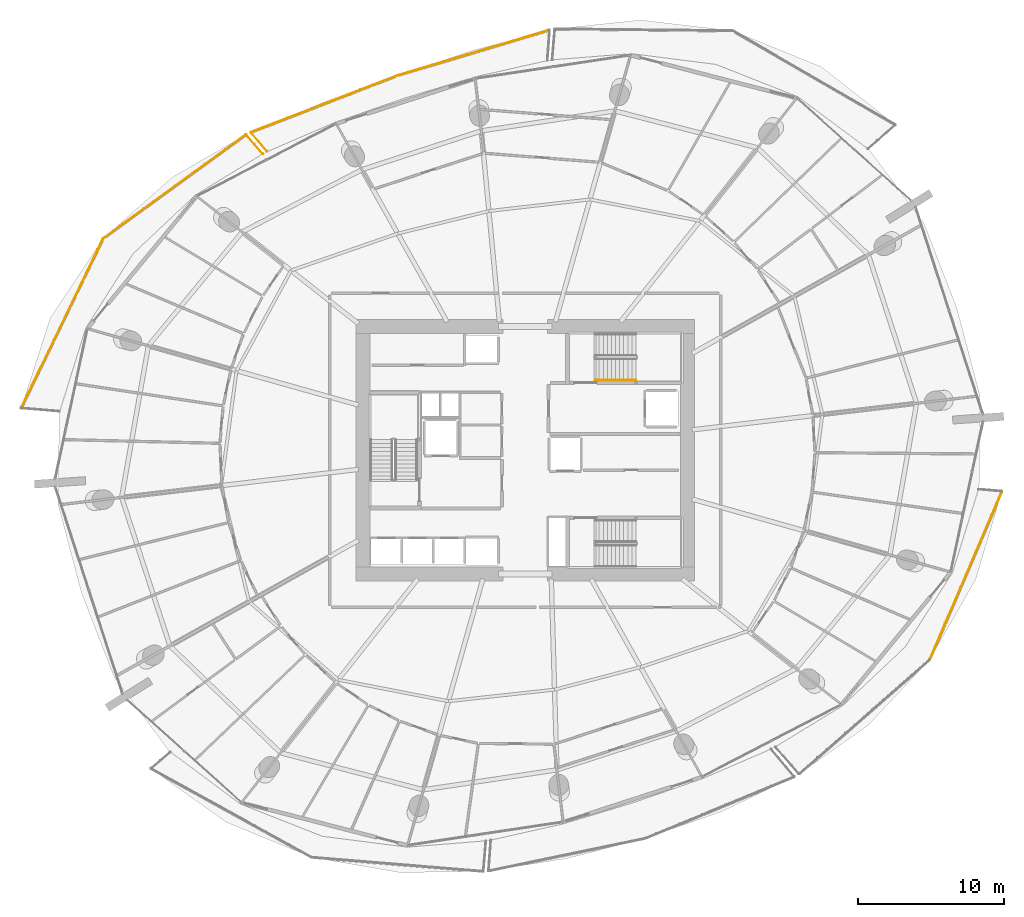
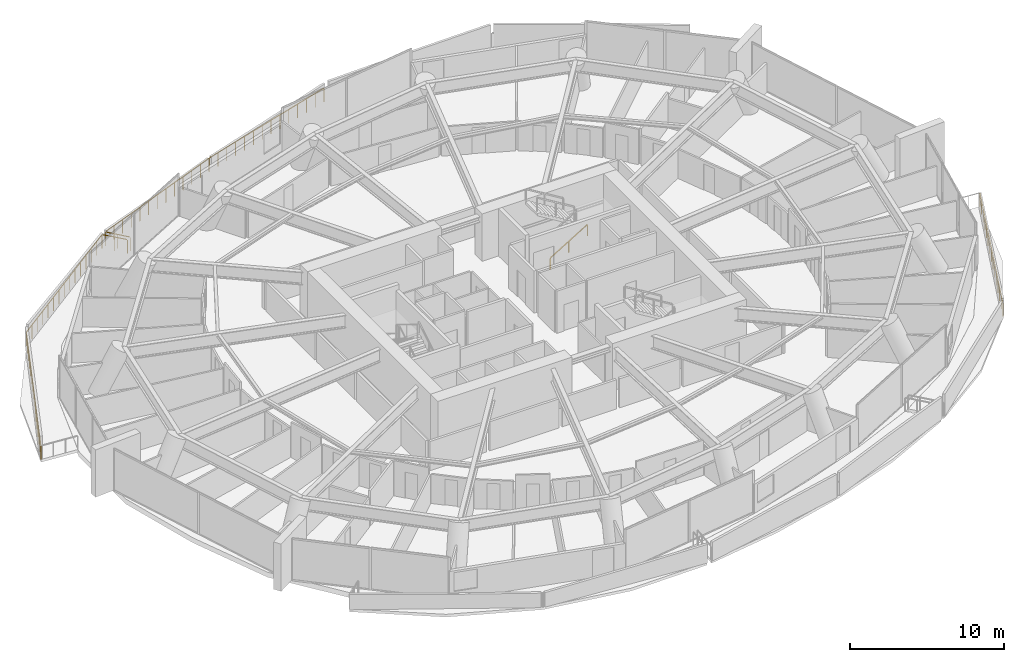
# One storey, part 29 of 31: 8 railings.
"""IFC4 building model written with IfcOpenShell, lengths in metres."""

from ifc_helpers import new_model, si_unit, direction, frame, origin, origin_2d, place, context, subcontext, project, spatial, rectangle, extrude, material, type_object, element, save


model = new_model("IFC4")

# Units and contexts
model_context = context("Model", 3, precision=1e-05, world=origin(), true_north=direction((0.0, 1.0)))
body_context = subcontext(model_context, "Body", "Model", "MODEL_VIEW")
ifc_project = project(units=[si_unit("LENGTHUNIT", "METRE"), si_unit("AREAUNIT", "SQUARE_METRE"), si_unit("VOLUMEUNIT", "CUBIC_METRE"), si_unit("PLANEANGLEUNIT", "RADIAN"), si_unit("MASSUNIT", "GRAM", prefix="KILO")], contexts=[model_context])

# Site, building, storey
site_placement = place(None, origin())
site = spatial("IfcSite", under=ifc_project, at=site_placement, CompositionType="ELEMENT")
building_placement = place(site_placement, origin())
building = spatial("IfcBuilding", under=site, at=building_placement, Name="Kazma Halo Residences", CompositionType="ELEMENT")
storey_placement = place(building_placement, frame((0.0, 0.0, 71.39990234375)))
storey = spatial("IfcBuildingStorey", under=building, at=storey_placement, Name="L17", CompositionType="ELEMENT", Elevation=71.39990234375)

# Railings
ifc_material_1 = material(Name="Aluminium AW-6063 T6 Brushed Cap Rail", Category="aluminium")
railing_type_1 = type_object("IfcRailingType", Name="RLG-BAL-CAP-1120", PredefinedType="BALUSTRADE", material=ifc_material_1)
railing_1_placement = place(storey_placement, frame((50.08740234375, 70.7705078125, 0.0)))
element("IfcRailing", 1, at=railing_1_placement, inside=storey, type_object=railing_type_1, Name="L17 NNW wave balcony guard 2", PredefinedType="BALUSTRADE", context=body_context, shape_type="SweptSolid", body=[
    extrude(rectangle(XDim=0.050048828125, YDim=0.050048828125, at=origin_2d()), frame((-0.040771484375, -0.01220703125, 1.09521484375), z_axis=(-0.957967000028, -0.286878418249, 0.0), x_axis=(0.286878418249, -0.957967000028, 0.0)), (0.0, 0.0, 1.0), 10.79345703125),
    extrude(rectangle(XDim=0.0400390625, YDim=0.0400390625, at=origin_2d()), origin(), (0.0, 0.0, 1.0), 1.05810546875),
    extrude(rectangle(XDim=0.0400390625, YDim=0.0400390625, at=origin_2d()), frame((-0.8017578125, -0.239990234375, 0.0)), (0.0, 0.0, 1.0), 1.05810546875),
    extrude(rectangle(XDim=0.0400390625, YDim=0.0400390625, at=origin_2d()), frame((-1.603271484375, -0.480224609375, 0.0)), (0.0, 0.0, 1.0), 1.05810546875),
    extrude(rectangle(XDim=0.0400390625, YDim=0.0400390625, at=origin_2d()), frame((-2.405029296875, -0.72021484375, 0.0)), (0.0, 0.0, 1.0), 1.05810546875),
    extrude(rectangle(XDim=0.0400390625, YDim=0.0400390625, at=origin_2d()), frame((-3.20654296875, -0.960205078125, 0.0)), (0.0, 0.0, 1.0), 1.05810546875),
    extrude(rectangle(XDim=0.0400390625, YDim=0.0400390625, at=origin_2d()), frame((-4.00830078125, -1.200439453125, 0.0)), (0.0, 0.0, 1.0), 1.05810546875),
    extrude(rectangle(XDim=0.0400390625, YDim=0.0400390625, at=origin_2d()), frame((-4.809814453125, -1.4404296875, 0.0)), (0.0, 0.0, 1.0), 1.05810546875),
    extrude(rectangle(XDim=0.0400390625, YDim=0.0400390625, at=origin_2d()), frame((-5.611572265625, -1.680419921875, 0.0)), (0.0, 0.0, 1.0), 1.05810546875),
    extrude(rectangle(XDim=0.0400390625, YDim=0.0400390625, at=origin_2d()), frame((-6.4130859375, -1.92041015625, 0.0)), (0.0, 0.0, 1.0), 1.05810546875),
    extrude(rectangle(XDim=0.0400390625, YDim=0.0400390625, at=origin_2d()), frame((-7.21484375, -2.16064453125, 0.0)), (0.0, 0.0, 1.0), 1.05810546875),
    extrude(rectangle(XDim=0.0400390625, YDim=0.0400390625, at=origin_2d()), frame((-8.016357421875, -2.400634765625, 0.0)), (0.0, 0.0, 1.0), 1.05810546875),
    extrude(rectangle(XDim=0.0400390625, YDim=0.0400390625, at=origin_2d()), frame((-8.818115234375, -2.640625, 0.0)), (0.0, 0.0, 1.0), 1.05810546875),
    extrude(rectangle(XDim=0.0400390625, YDim=0.0400390625, at=origin_2d()), frame((-9.61962890625, -2.880859375, 0.0)), (0.0, 0.0, 1.0), 1.05810546875),
    extrude(rectangle(XDim=0.0400390625, YDim=0.0400390625, at=origin_2d()), frame((-10.42138671875, -3.120849609375, 0.0)), (0.0, 0.0, 1.0), 1.05810546875),
])
railing_2_placement = place(storey_placement, frame((39.666015625, 67.649658203125, 0.0)))
element("IfcRailing", 2, at=railing_2_placement, inside=storey, type_object=railing_type_1, Name="L17 NNW wave balcony guard 3", PredefinedType="BALUSTRADE", context=body_context, shape_type="SweptSolid", body=[
    extrude(rectangle(XDim=0.050048828125, YDim=0.050048828125, at=origin_2d()), frame((-0.039794921875, -0.015380859375, 1.09521484375), z_axis=(-0.932666427368, -0.360739982897, 0.0), x_axis=(0.360739982897, -0.932666427368, 0.0)), (0.0, 0.0, 1.0), 10.669677734375),
    extrude(rectangle(XDim=0.0400390625, YDim=0.0400390625, at=origin_2d()), origin(), (0.0, 0.0, 1.0), 1.05810546875),
    extrude(rectangle(XDim=0.0400390625, YDim=0.0400390625, at=origin_2d()), frame((-0.8359375, -0.3232421875, 0.0)), (0.0, 0.0, 1.0), 1.05810546875),
    extrude(rectangle(XDim=0.0400390625, YDim=0.0400390625, at=origin_2d()), frame((-1.671875, -0.646484375, 0.0)), (0.0, 0.0, 1.0), 1.05810546875),
    extrude(rectangle(XDim=0.0400390625, YDim=0.0400390625, at=origin_2d()), frame((-2.507568359375, -0.969970703125, 0.0)), (0.0, 0.0, 1.0), 1.05810546875),
    extrude(rectangle(XDim=0.0400390625, YDim=0.0400390625, at=origin_2d()), frame((-3.343505859375, -1.293212890625, 0.0)), (0.0, 0.0, 1.0), 1.05810546875),
    extrude(rectangle(XDim=0.0400390625, YDim=0.0400390625, at=origin_2d()), frame((-4.179443359375, -1.616455078125, 0.0)), (0.0, 0.0, 1.0), 1.05810546875),
    extrude(rectangle(XDim=0.0400390625, YDim=0.0400390625, at=origin_2d()), frame((-5.01513671875, -1.93994140625, 0.0)), (0.0, 0.0, 1.0), 1.05810546875),
    extrude(rectangle(XDim=0.0400390625, YDim=0.0400390625, at=origin_2d()), frame((-5.85107421875, -2.26318359375, 0.0)), (0.0, 0.0, 1.0), 1.05810546875),
    extrude(rectangle(XDim=0.0400390625, YDim=0.0400390625, at=origin_2d()), frame((-6.68701171875, -2.58642578125, 0.0)), (0.0, 0.0, 1.0), 1.05810546875),
    extrude(rectangle(XDim=0.0400390625, YDim=0.0400390625, at=origin_2d()), frame((-7.52294921875, -2.90966796875, 0.0)), (0.0, 0.0, 1.0), 1.05810546875),
    extrude(rectangle(XDim=0.0400390625, YDim=0.0400390625, at=origin_2d()), frame((-8.35888671875, -3.23291015625, 0.0)), (0.0, 0.0, 1.0), 1.05810546875),
    extrude(rectangle(XDim=0.0400390625, YDim=0.0400390625, at=origin_2d()), frame((-9.194580078125, -3.556396484375, 0.0)), (0.0, 0.0, 1.0), 1.05810546875),
    extrude(rectangle(XDim=0.0400390625, YDim=0.0400390625, at=origin_2d()), frame((-10.030517578125, -3.879638671875, 0.0)), (0.0, 0.0, 1.0), 1.05810546875),
])
railing_3_placement = place(storey_placement, frame((29.635498046875, 63.77001953125, 0.0)))
element("IfcRailing", 3, at=railing_3_placement, inside=storey, type_object=railing_type_1, Name="L17 NNW wave balcony guard 4", PredefinedType="BALUSTRADE", context=body_context, shape_type="SweptSolid", body=[
    extrude(rectangle(XDim=0.050048828125, YDim=0.050048828125, at=origin_2d()), frame((0.02734375, -0.032470703125, 1.09521484375), z_axis=(0.64477825688, -0.764369674604, 0.0), x_axis=(0.764369674604, 0.64477825688, 0.0)), (0.0, 0.0, 1.0), 1.64599609375),
    extrude(rectangle(XDim=0.0400390625, YDim=0.0400390625, at=origin_2d()), origin(), (0.0, 0.0, 1.0), 1.05810546875),
    extrude(rectangle(XDim=0.0400390625, YDim=0.0400390625, at=origin_2d()), frame((0.55810546875, -0.66162109375, 0.0)), (0.0, 0.0, 1.0), 1.05810546875),
    extrude(rectangle(XDim=0.0400390625, YDim=0.0400390625, at=origin_2d()), frame((1.1162109375, -1.3232421875, 0.0)), (0.0, 0.0, 1.0), 1.05810546875),
])
railing_4_placement = place(storey_placement, frame((30.453857421875, 62.29150390625, 0.0)))
element("IfcRailing", 4, at=railing_4_placement, inside=storey, type_object=railing_type_1, Name="L17 NW wave balcony guard 1", PredefinedType="BALUSTRADE", context=body_context, shape_type="SweptSolid", body=[
    extrude(rectangle(XDim=0.050048828125, YDim=0.050048828125, at=origin_2d()), frame((-0.02783203125, 0.0322265625, 1.09521484375), z_axis=(-0.654048383375, 0.756452716437, 0.0), x_axis=(-0.756452716437, -0.654048383375, 0.0)), (0.0, 0.0, 1.0), 1.664794921875),
    extrude(rectangle(XDim=0.0400390625, YDim=0.0400390625, at=origin_2d()), origin(), (0.0, 0.0, 1.0), 1.05810546875),
    extrude(rectangle(XDim=0.0400390625, YDim=0.0400390625, at=origin_2d()), frame((-0.572265625, 0.661865234375, 0.0)), (0.0, 0.0, 1.0), 1.05810546875),
    extrude(rectangle(XDim=0.0400390625, YDim=0.0400390625, at=origin_2d()), frame((-1.14453125, 1.32373046875, 0.0)), (0.0, 0.0, 1.0), 1.05810546875),
])
railing_5_placement = place(storey_placement, frame((29.309326171875, 63.615234375, 0.0)))
element("IfcRailing", 5, at=railing_5_placement, inside=storey, type_object=railing_type_1, Name="L17 NW wave balcony guard 2", PredefinedType="BALUSTRADE", context=body_context, shape_type="SweptSolid", body=[
    extrude(rectangle(XDim=0.050048828125, YDim=0.050048828125, at=origin_2d()), frame((-0.034423828125, -0.02490234375, 1.09521484375), z_axis=(-0.808699402837, -0.588222131385, 0.0), x_axis=(0.588222131385, -0.808699402837, 0.0)), (0.0, 0.0, 1.0), 12.003662109375),
    extrude(rectangle(XDim=0.0400390625, YDim=0.0400390625, at=origin_2d()), origin(), (0.0, 0.0, 1.0), 1.05810546875),
    extrude(rectangle(XDim=0.0400390625, YDim=0.0400390625, at=origin_2d()), frame((-0.6982421875, -0.5078125, 0.0)), (0.0, 0.0, 1.0), 1.05810546875),
    extrude(rectangle(XDim=0.0400390625, YDim=0.0400390625, at=origin_2d()), frame((-1.396484375, -1.015869140625, 0.0)), (0.0, 0.0, 1.0), 1.05810546875),
    extrude(rectangle(XDim=0.0400390625, YDim=0.0400390625, at=origin_2d()), frame((-2.094970703125, -1.523681640625, 0.0)), (0.0, 0.0, 1.0), 1.05810546875),
    extrude(rectangle(XDim=0.0400390625, YDim=0.0400390625, at=origin_2d()), frame((-2.793212890625, -2.03173828125, 0.0)), (0.0, 0.0, 1.0), 1.05810546875),
    extrude(rectangle(XDim=0.0400390625, YDim=0.0400390625, at=origin_2d()), frame((-3.491455078125, -2.53955078125, 0.0)), (0.0, 0.0, 1.0), 1.05810546875),
    extrude(rectangle(XDim=0.0400390625, YDim=0.0400390625, at=origin_2d()), frame((-4.189697265625, -3.047607421875, 0.0)), (0.0, 0.0, 1.0), 1.05810546875),
    extrude(rectangle(XDim=0.0400390625, YDim=0.0400390625, at=origin_2d()), frame((-4.88818359375, -3.555419921875, 0.0)), (0.0, 0.0, 1.0), 1.05810546875),
    extrude(rectangle(XDim=0.0400390625, YDim=0.0400390625, at=origin_2d()), frame((-5.58642578125, -4.063232421875, 0.0)), (0.0, 0.0, 1.0), 1.05810546875),
    extrude(rectangle(XDim=0.0400390625, YDim=0.0400390625, at=origin_2d()), frame((-6.28466796875, -4.5712890625, 0.0)), (0.0, 0.0, 1.0), 1.05810546875),
    extrude(rectangle(XDim=0.0400390625, YDim=0.0400390625, at=origin_2d()), frame((-6.98291015625, -5.0791015625, 0.0)), (0.0, 0.0, 1.0), 1.05810546875),
    extrude(rectangle(XDim=0.0400390625, YDim=0.0400390625, at=origin_2d()), frame((-7.68115234375, -5.587158203125, 0.0)), (0.0, 0.0, 1.0), 1.05810546875),
    extrude(rectangle(XDim=0.0400390625, YDim=0.0400390625, at=origin_2d()), frame((-8.379638671875, -6.094970703125, 0.0)), (0.0, 0.0, 1.0), 1.05810546875),
    extrude(rectangle(XDim=0.0400390625, YDim=0.0400390625, at=origin_2d()), frame((-9.077880859375, -6.60302734375, 0.0)), (0.0, 0.0, 1.0), 1.05810546875),
    extrude(rectangle(XDim=0.0400390625, YDim=0.0400390625, at=origin_2d()), frame((-9.776123046875, -7.11083984375, 0.0)), (0.0, 0.0, 1.0), 1.05810546875),
])
railing_6_placement = place(storey_placement, frame((19.533203125, 56.50439453125, 0.0)))
element("IfcRailing", 6, at=railing_6_placement, inside=storey, type_object=railing_type_1, Name="L17 NW wave balcony guard 3", PredefinedType="BALUSTRADE", context=body_context, shape_type="SweptSolid", body=[
    extrude(rectangle(XDim=0.050048828125, YDim=0.050048828125, at=origin_2d()), frame((-0.0185546875, -0.038330078125, 1.09521484375), z_axis=(-0.435394695787, -0.900239667467, 0.0), x_axis=(0.900239667467, -0.435394695787, 0.0)), (0.0, 0.0, 1.0), 12.81396484375),
    extrude(rectangle(XDim=0.0400390625, YDim=0.0400390625, at=origin_2d()), origin(), (0.0, 0.0, 1.0), 1.05810546875),
    extrude(rectangle(XDim=0.0400390625, YDim=0.0400390625, at=origin_2d()), frame((-0.37451171875, -0.774169921875, 0.0)), (0.0, 0.0, 1.0), 1.05810546875),
    extrude(rectangle(XDim=0.0400390625, YDim=0.0400390625, at=origin_2d()), frame((-0.748779296875, -1.54833984375, 0.0)), (0.0, 0.0, 1.0), 1.05810546875),
    extrude(rectangle(XDim=0.0400390625, YDim=0.0400390625, at=origin_2d()), frame((-1.123291015625, -2.322509765625, 0.0)), (0.0, 0.0, 1.0), 1.05810546875),
    extrude(rectangle(XDim=0.0400390625, YDim=0.0400390625, at=origin_2d()), frame((-1.49755859375, -3.0966796875, 0.0)), (0.0, 0.0, 1.0), 1.05810546875),
    extrude(rectangle(XDim=0.0400390625, YDim=0.0400390625, at=origin_2d()), frame((-1.8720703125, -3.870849609375, 0.0)), (0.0, 0.0, 1.0), 1.05810546875),
    extrude(rectangle(XDim=0.0400390625, YDim=0.0400390625, at=origin_2d()), frame((-2.24658203125, -4.64501953125, 0.0)), (0.0, 0.0, 1.0), 1.05810546875),
    extrude(rectangle(XDim=0.0400390625, YDim=0.0400390625, at=origin_2d()), frame((-2.620849609375, -5.419189453125, 0.0)), (0.0, 0.0, 1.0), 1.05810546875),
    extrude(rectangle(XDim=0.0400390625, YDim=0.0400390625, at=origin_2d()), frame((-2.995361328125, -6.193115234375, 0.0)), (0.0, 0.0, 1.0), 1.05810546875),
    extrude(rectangle(XDim=0.0400390625, YDim=0.0400390625, at=origin_2d()), frame((-3.36962890625, -6.96728515625, 0.0)), (0.0, 0.0, 1.0), 1.05810546875),
    extrude(rectangle(XDim=0.0400390625, YDim=0.0400390625, at=origin_2d()), frame((-3.744140625, -7.741455078125, 0.0)), (0.0, 0.0, 1.0), 1.05810546875),
    extrude(rectangle(XDim=0.0400390625, YDim=0.0400390625, at=origin_2d()), frame((-4.11865234375, -8.515625, 0.0)), (0.0, 0.0, 1.0), 1.05810546875),
    extrude(rectangle(XDim=0.0400390625, YDim=0.0400390625, at=origin_2d()), frame((-4.492919921875, -9.289794921875, 0.0)), (0.0, 0.0, 1.0), 1.05810546875),
    extrude(rectangle(XDim=0.0400390625, YDim=0.0400390625, at=origin_2d()), frame((-4.867431640625, -10.06396484375, 0.0)), (0.0, 0.0, 1.0), 1.05810546875),
    extrude(rectangle(XDim=0.0400390625, YDim=0.0400390625, at=origin_2d()), frame((-5.24169921875, -10.838134765625, 0.0)), (0.0, 0.0, 1.0), 1.05810546875),
    extrude(rectangle(XDim=0.0400390625, YDim=0.0400390625, at=origin_2d()), frame((-5.6162109375, -11.6123046875, 0.0)), (0.0, 0.0, 1.0), 1.05810546875),
])
railing_7_placement = place(storey_placement, frame((76.1123046875, 27.676025390625, 0.0)))
element("IfcRailing", 7, at=railing_7_placement, inside=storey, type_object=railing_type_1, Name="L17 SE wave balcony guard 3", PredefinedType="BALUSTRADE", context=body_context, shape_type="SweptSolid", body=[
    extrude(rectangle(XDim=0.050048828125, YDim=0.050048828125, at=origin_2d()), frame((0.016845703125, 0.0390625, 1.09521484375), z_axis=(0.393752359053, 0.919216557586, 0.0), x_axis=(-0.919216557586, 0.393752359053, 0.0)), (0.0, 0.0, 1.0), 12.447021484375),
    extrude(rectangle(XDim=0.0400390625, YDim=0.0400390625, at=origin_2d()), origin(), (0.0, 0.0, 1.0), 1.05810546875),
    extrude(rectangle(XDim=0.0400390625, YDim=0.0400390625, at=origin_2d()), frame((0.3525390625, 0.82275390625, 0.0)), (0.0, 0.0, 1.0), 1.05810546875),
    extrude(rectangle(XDim=0.0400390625, YDim=0.0400390625, at=origin_2d()), frame((0.704833984375, 1.645751953125, 0.0)), (0.0, 0.0, 1.0), 1.05810546875),
    extrude(rectangle(XDim=0.0400390625, YDim=0.0400390625, at=origin_2d()), frame((1.057373046875, 2.468505859375, 0.0)), (0.0, 0.0, 1.0), 1.05810546875),
    extrude(rectangle(XDim=0.0400390625, YDim=0.0400390625, at=origin_2d()), frame((1.409912109375, 3.291259765625, 0.0)), (0.0, 0.0, 1.0), 1.05810546875),
    extrude(rectangle(XDim=0.0400390625, YDim=0.0400390625, at=origin_2d()), frame((1.762451171875, 4.1142578125, 0.0)), (0.0, 0.0, 1.0), 1.05810546875),
    extrude(rectangle(XDim=0.0400390625, YDim=0.0400390625, at=origin_2d()), frame((2.11474609375, 4.93701171875, 0.0)), (0.0, 0.0, 1.0), 1.05810546875),
    extrude(rectangle(XDim=0.0400390625, YDim=0.0400390625, at=origin_2d()), frame((2.46728515625, 5.759765625, 0.0)), (0.0, 0.0, 1.0), 1.05810546875),
    extrude(rectangle(XDim=0.0400390625, YDim=0.0400390625, at=origin_2d()), frame((2.81982421875, 6.582763671875, 0.0)), (0.0, 0.0, 1.0), 1.05810546875),
    extrude(rectangle(XDim=0.0400390625, YDim=0.0400390625, at=origin_2d()), frame((3.172119140625, 7.405517578125, 0.0)), (0.0, 0.0, 1.0), 1.05810546875),
    extrude(rectangle(XDim=0.0400390625, YDim=0.0400390625, at=origin_2d()), frame((3.524658203125, 8.228515625, 0.0)), (0.0, 0.0, 1.0), 1.05810546875),
    extrude(rectangle(XDim=0.0400390625, YDim=0.0400390625, at=origin_2d()), frame((3.877197265625, 9.05126953125, 0.0)), (0.0, 0.0, 1.0), 1.05810546875),
    extrude(rectangle(XDim=0.0400390625, YDim=0.0400390625, at=origin_2d()), frame((4.229736328125, 9.8740234375, 0.0)), (0.0, 0.0, 1.0), 1.05810546875),
    extrude(rectangle(XDim=0.0400390625, YDim=0.0400390625, at=origin_2d()), frame((4.58203125, 10.697021484375, 0.0)), (0.0, 0.0, 1.0), 1.05810546875),
    extrude(rectangle(XDim=0.0400390625, YDim=0.0400390625, at=origin_2d()), frame((4.9345703125, 11.519775390625, 0.0)), (0.0, 0.0, 1.0), 1.05810546875),
])
ifc_material_2 = material(Name="Brushed Stainless Steel", Category="steel")
railing_type_2 = type_object("IfcRailingType", Name="RLG-STAIR-HND-900", PredefinedType="HANDRAIL", material=ifc_material_2)
railing_8_placement = place(storey_placement, frame((53.199951171875, 46.800048828125, 0.170654296875)))
element("IfcRailing", 8, at=railing_8_placement, inside=storey, type_object=railing_type_2, Name="L17 ST-02 stair handrail 1", PredefinedType="HANDRAIL", context=body_context, shape_type="SweptSolid", body=[
    extrude(rectangle(XDim=0.050048828125, YDim=0.050048828125, at=origin_2d()), frame((0.036376953125, 0.0, 0.89697265625), z_axis=(0.854202870247, 0.0, 0.519939858505), x_axis=(0.0, 1.0, 0.0)), (0.0, 0.0, 1.0), 3.19287109375),
    extrude(rectangle(XDim=0.0400390625, YDim=0.0400390625, at=origin_2d()), origin(), (0.0, 0.0, 1.0), 0.837890625),
    extrude(rectangle(XDim=0.0400390625, YDim=0.0400390625, at=origin_2d()), frame((1.39990234375, 0.0, 0.85205078125)), (0.0, 0.0, 1.0), 0.837890625),
    extrude(rectangle(XDim=0.0400390625, YDim=0.0400390625, at=origin_2d()), frame((2.800048828125, 0.0, 1.704345703125)), (0.0, 0.0, 1.0), 0.837890625),
])

save(model, "model.ifc")
